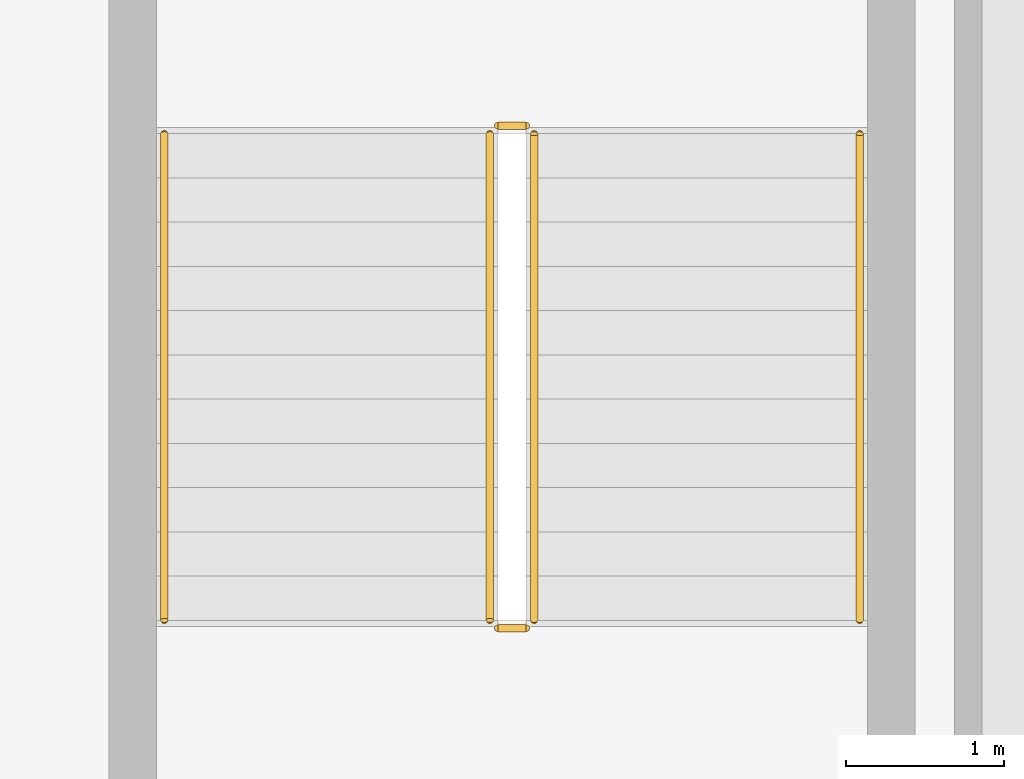
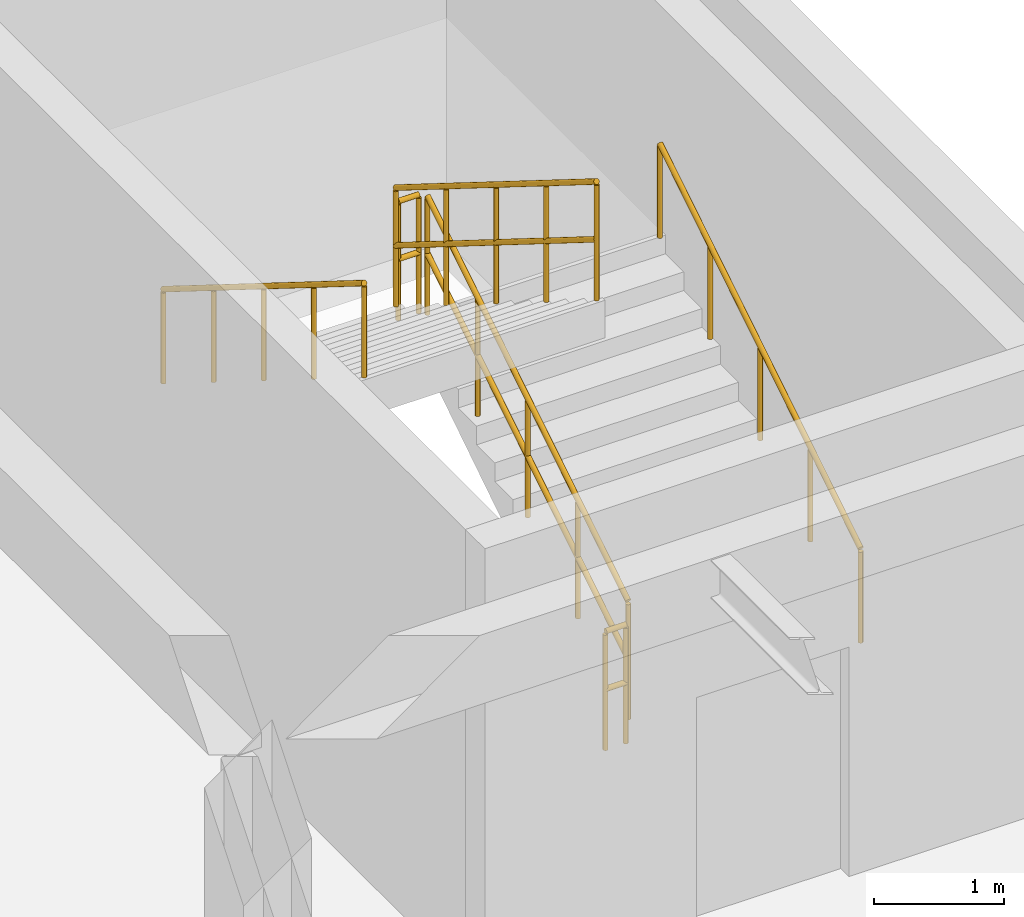
# One storey, part 25 of 28: 6 railings.
"""IFC4 building model written with IfcOpenShell, lengths in metres."""

from ifc_helpers import new_model, si_unit, direction, frame, origin, origin_2d, place, context, subcontext, project, spatial, circle, extrude, material, layer, layer_set, type_object, element, save


model = new_model("IFC4")

# Units and contexts
model_context = context("Model", 3, precision=1e-05, world=origin(), true_north=direction((0.0, 1.0)))
body_context = subcontext(model_context, "Body", "Model", "MODEL_VIEW")
ifc_project = project(units=[si_unit("LENGTHUNIT", "METRE"), si_unit("AREAUNIT", "SQUARE_METRE"), si_unit("VOLUMEUNIT", "CUBIC_METRE"), si_unit("PLANEANGLEUNIT", "RADIAN"), si_unit("MASSUNIT", "GRAM", prefix="KILO")], contexts=[model_context])

# Site, building, storey
site_placement = place(None, origin())
site = spatial("IfcSite", under=ifc_project, at=site_placement, CompositionType="ELEMENT")
building_placement = place(site_placement, origin())
building = spatial("IfcBuilding", under=site, at=building_placement, Name="Kivolera Central Railway Station", CompositionType="ELEMENT")
storey_placement = place(building_placement, frame((0.0, 0.0, 18.60009765625)))
storey = spatial("IfcBuildingStorey", under=building, at=storey_placement, Name="L04", CompositionType="ELEMENT", Elevation=18.60009765625)

# Railings
ifc_material = material(Name="Anodised aluminium", Category="aluminium")
ifc_layer_1 = layer(ifc_material, 0.048095703125, Name="Anodised aluminium")
ifc_layer_set_1 = layer_set([ifc_layer_1], Name="Anodised aluminium")
railing_type_1 = type_object("IfcRailingType", Name="RL-STAIR-GUARD", PredefinedType="GUARDRAIL", material=ifc_layer_set_1)
railing_1_placement = place(storey_placement, frame((192.989990234375, 92.9599609375, 0.1748046875)))
element("IfcRailing", 1, at=railing_1_placement, inside=storey, type_object=railing_type_1, Name="L04 ST11 stair guard 1", PredefinedType="GUARDRAIL", context=body_context, shape_type="SweptSolid", body=[
    extrude(circle(Radius=0.02392578125, at=origin_2d()), frame((0.0, 0.0, 1.10595703125), z_axis=(0.0, 0.847998304005, 0.529998940003), x_axis=(-1.0, 0.0, 0.0)), (0.0, 0.0, 1.0), 3.632080078125),
    extrude(circle(Radius=0.02392578125, at=origin_2d()), frame((0.0, 0.0, 0.56494140625), z_axis=(0.0, 0.847998304005, 0.529998940003), x_axis=(-1.0, 0.0, 0.0)), (0.0, 0.0, 1.0), 3.632080078125),
    extrude(circle(Radius=0.02099609375, at=origin_2d()), origin(), (0.0, 0.0, 1.0), 1.081787109375),
    extrude(circle(Radius=0.02099609375, at=origin_2d()), frame((0.0, 0.77001953125, 0.481201171875)), (0.0, 0.0, 1.0), 1.081787109375),
    extrude(circle(Radius=0.02099609375, at=origin_2d()), frame((0.0, 1.5400390625, 0.96240234375)), (0.0, 0.0, 1.0), 1.081787109375),
    extrude(circle(Radius=0.02099609375, at=origin_2d()), frame((0.0, 2.31005859375, 1.44384765625)), (0.0, 0.0, 1.0), 1.081787109375),
    extrude(circle(Radius=0.02099609375, at=origin_2d()), frame((0.0, 3.080078125, 1.925048828125)), (0.0, 0.0, 1.0), 1.081787109375),
])
railing_2_placement = place(storey_placement, frame((192.93994140625, 96.090087890625, 2.099853515625)))
element("IfcRailing", 2, at=railing_2_placement, inside=storey, type_object=railing_type_1, Name="L04 ST11 stair guard 2", PredefinedType="GUARDRAIL", context=body_context, shape_type="SweptSolid", body=[
    extrude(circle(Radius=0.02392578125, at=origin_2d()), frame((0.0, 0.0, 1.10595703125), z_axis=(-1.0, 0.0, 0.0), x_axis=(0.0, -1.0, 0.0)), (0.0, 0.0, 1.0), 0.179931640625),
    extrude(circle(Radius=0.02392578125, at=origin_2d()), frame((0.0, 0.0, 0.56494140625), z_axis=(-1.0, 0.0, 0.0), x_axis=(0.0, -1.0, 0.0)), (0.0, 0.0, 1.0), 0.179931640625),
    extrude(circle(Radius=0.02099609375, at=origin_2d()), origin(), (0.0, 0.0, 1.0), 1.081787109375),
    extrude(circle(Radius=0.02099609375, at=origin_2d()), frame((-0.179931640625, 0.0, 0.0)), (0.0, 0.0, 1.0), 1.081787109375),
])
railing_3_placement = place(storey_placement, frame((192.7099609375, 96.0400390625, 2.27490234375)))
element("IfcRailing", 3, at=railing_3_placement, inside=storey, type_object=railing_type_1, Name="L04 ST11 stair guard 3", PredefinedType="GUARDRAIL", context=body_context, shape_type="SweptSolid", body=[
    extrude(circle(Radius=0.02392578125, at=origin_2d()), frame((0.0, 0.0, 1.10595703125), z_axis=(0.0, -0.847998304005, 0.529998940003), x_axis=(1.0, 0.0, 0.0)), (0.0, 0.0, 1.0), 3.632080078125),
    extrude(circle(Radius=0.02392578125, at=origin_2d()), frame((0.0, 0.0, 0.56494140625), z_axis=(0.0, -0.847998304005, 0.529998940003), x_axis=(1.0, 0.0, 0.0)), (0.0, 0.0, 1.0), 3.632080078125),
    extrude(circle(Radius=0.02099609375, at=origin_2d()), origin(), (0.0, 0.0, 1.0), 1.081787109375),
    extrude(circle(Radius=0.02099609375, at=origin_2d()), frame((0.0, -0.77001953125, 0.481201171875)), (0.0, 0.0, 1.0), 1.081787109375),
    extrude(circle(Radius=0.02099609375, at=origin_2d()), frame((0.0, -1.5400390625, 0.96240234375)), (0.0, 0.0, 1.0), 1.081787109375),
    extrude(circle(Radius=0.02099609375, at=origin_2d()), frame((0.0, -2.31005859375, 1.44384765625)), (0.0, 0.0, 1.0), 1.081787109375),
    extrude(circle(Radius=0.02099609375, at=origin_2d()), frame((0.0, -3.080078125, 1.925048828125)), (0.0, 0.0, 1.0), 1.081787109375),
])
railing_4_placement = place(storey_placement, frame((192.93994140625, 92.909912109375, 0.0)))
element("IfcRailing", 4, at=railing_4_placement, inside=storey, type_object=railing_type_1, Name="L04 ST11 stair guard 4", PredefinedType="GUARDRAIL", context=body_context, shape_type="SweptSolid", body=[
    extrude(circle(Radius=0.02392578125, at=origin_2d()), frame((0.0, 0.0, 1.10595703125), z_axis=(-1.0, 0.0, 0.0), x_axis=(0.0, -1.0, 0.0)), (0.0, 0.0, 1.0), 0.179931640625),
    extrude(circle(Radius=0.02392578125, at=origin_2d()), frame((0.0, 0.0, 0.56494140625), z_axis=(-1.0, 0.0, 0.0), x_axis=(0.0, -1.0, 0.0)), (0.0, 0.0, 1.0), 0.179931640625),
    extrude(circle(Radius=0.02099609375, at=origin_2d()), origin(), (0.0, 0.0, 1.0), 1.081787109375),
    extrude(circle(Radius=0.02099609375, at=origin_2d()), frame((-0.179931640625, 0.0, 0.0)), (0.0, 0.0, 1.0), 1.081787109375),
])
ifc_layer_2 = layer(ifc_material, 0.048095703125, Name="Anodised aluminium")
ifc_layer_set_2 = layer_set([ifc_layer_2], Name="Anodised aluminium")
railing_type_2 = type_object("IfcRailingType", Name="RL-STAIR-HAND", PredefinedType="HANDRAIL", material=ifc_layer_set_2)
railing_5_placement = place(storey_placement, frame((195.050048828125, 92.9599609375, 0.1748046875)))
element("IfcRailing", 5, at=railing_5_placement, inside=storey, type_object=railing_type_2, Name="L04 ST11 stair handrail 1", PredefinedType="HANDRAIL", context=body_context, shape_type="SweptSolid", body=[
    extrude(circle(Radius=0.02392578125, at=origin_2d()), frame((0.0, 0.0, 0.8759765625), z_axis=(0.0, 0.847998304005, 0.529998940003), x_axis=(-1.0, 0.0, 0.0)), (0.0, 0.0, 1.0), 3.632080078125),
    extrude(circle(Radius=0.02099609375, at=origin_2d()), origin(), (0.0, 0.0, 1.0), 0.851806640625),
    extrude(circle(Radius=0.02099609375, at=origin_2d()), frame((0.0, 0.77001953125, 0.481201171875)), (0.0, 0.0, 1.0), 0.851806640625),
    extrude(circle(Radius=0.02099609375, at=origin_2d()), frame((0.0, 1.5400390625, 0.96240234375)), (0.0, 0.0, 1.0), 0.851806640625),
    extrude(circle(Radius=0.02099609375, at=origin_2d()), frame((0.0, 2.31005859375, 1.44384765625)), (0.0, 0.0, 1.0), 0.851806640625),
    extrude(circle(Radius=0.02099609375, at=origin_2d()), frame((0.0, 3.080078125, 1.925048828125)), (0.0, 0.0, 1.0), 0.851806640625),
])
railing_6_placement = place(storey_placement, frame((190.64990234375, 96.0400390625, 2.27490234375)))
element("IfcRailing", 6, at=railing_6_placement, inside=storey, type_object=railing_type_2, Name="L04 ST11 stair handrail 2", PredefinedType="HANDRAIL", context=body_context, shape_type="SweptSolid", body=[
    extrude(circle(Radius=0.02392578125, at=origin_2d()), frame((0.0, 0.0, 0.8759765625), z_axis=(0.0, -0.847998304005, 0.529998940003), x_axis=(1.0, 0.0, 0.0)), (0.0, 0.0, 1.0), 3.632080078125),
    extrude(circle(Radius=0.02099609375, at=origin_2d()), origin(), (0.0, 0.0, 1.0), 0.851806640625),
    extrude(circle(Radius=0.02099609375, at=origin_2d()), frame((0.0, -0.77001953125, 0.481201171875)), (0.0, 0.0, 1.0), 0.851806640625),
    extrude(circle(Radius=0.02099609375, at=origin_2d()), frame((0.0, -1.5400390625, 0.96240234375)), (0.0, 0.0, 1.0), 0.851806640625),
    extrude(circle(Radius=0.02099609375, at=origin_2d()), frame((0.0, -2.31005859375, 1.44384765625)), (0.0, 0.0, 1.0), 0.851806640625),
    extrude(circle(Radius=0.02099609375, at=origin_2d()), frame((0.0, -3.080078125, 1.925048828125)), (0.0, 0.0, 1.0), 0.851806640625),
])

save(model, "model.ifc")
